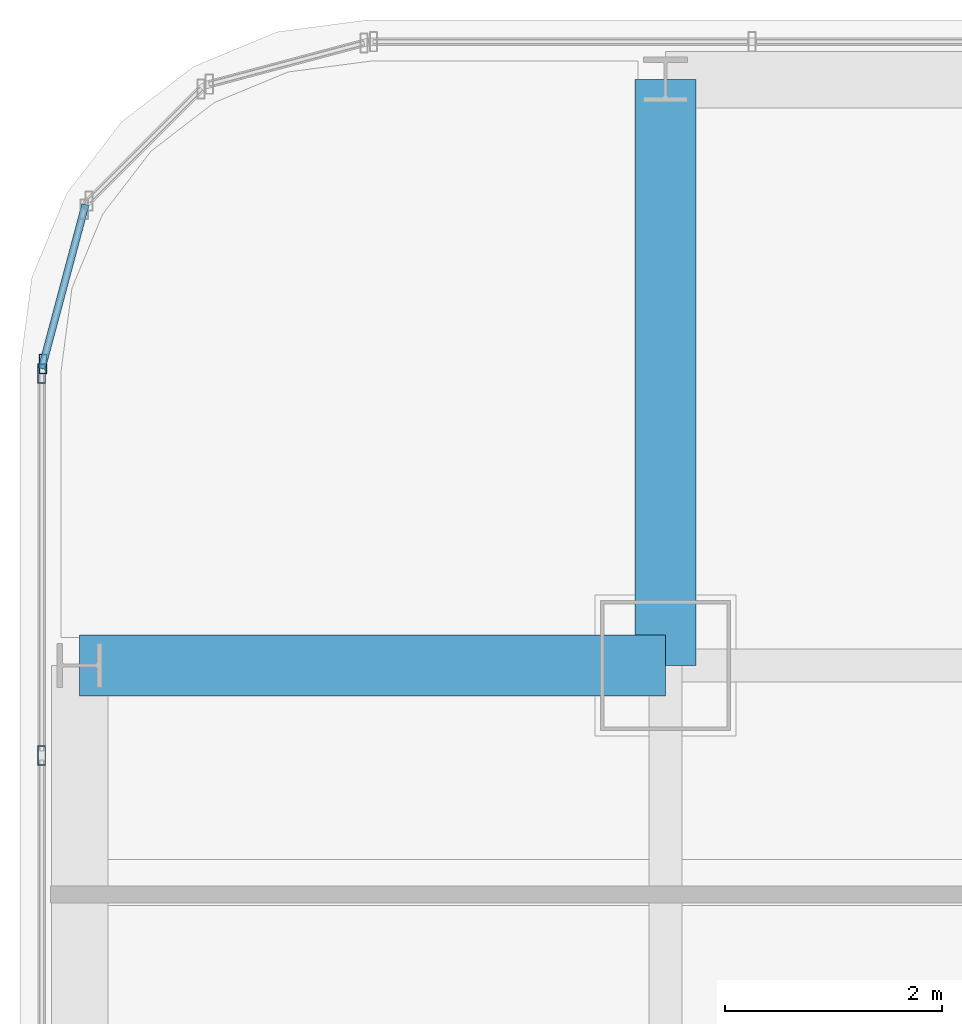
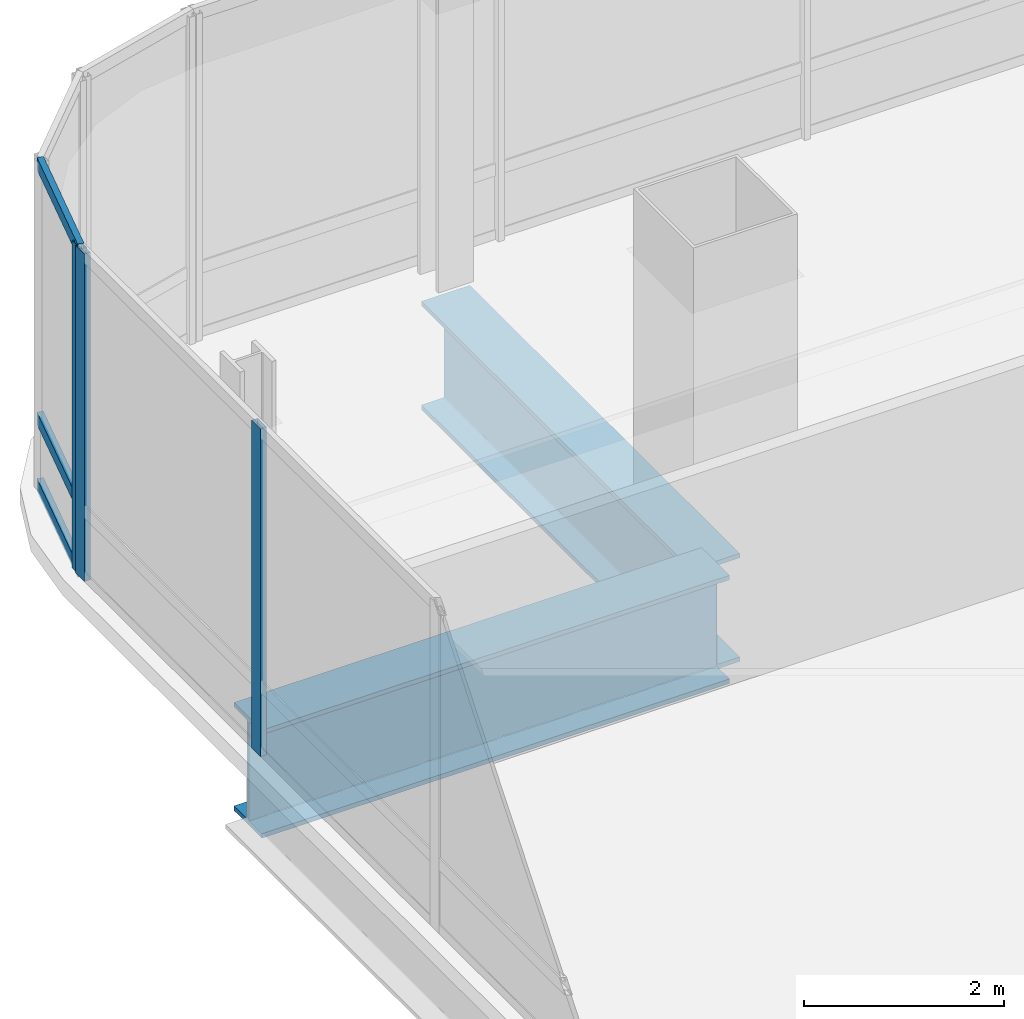
# One storey, part 21 of 42: 6 members, 2 beams, 2 elements without a shape of their own.
"""IFC4 building model written with IfcOpenShell, lengths in metres."""

import ifcopenshell
import ifcopenshell.guid

model = None  # the IFC model being written
_history = None  # IfcOwnerHistory: only IFC2X3 demands one
_inside = {}  # id of a spatial element -> (the spatial element, [elements in it])
_under = {}  # id of a project, library or spatial element -> (it, [spatial elements below it])
_declared = {}  # id of a project -> (the project, [libraries it declares])
_typed = {}  # id of a type object -> (the type object, [elements of that type])
_made_of = {}  # id of a material, layer set ... -> (it, [elements and type objects made of it])


def new_model(schema):
    """Start an empty IFC model of exactly this schema.

    Asked for "IFC4X3", IfcOpenShell would pick the latest addendum, in which some entities
    have other attributes; the version numbers below select the first issue.
    IFC2X3 requires an IfcOwnerHistory on every rooted entity: one is made here for all.
    """
    global model, _history
    if schema == "IFC4X3":
        model = ifcopenshell.file(schema_version=(4, 3, 0, 0))
    else:
        model = ifcopenshell.file(schema=schema)
    _inside.clear()
    _under.clear()
    _declared.clear()
    _typed.clear()
    _made_of.clear()
    _history = None
    if model.schema == "IFC2X3":
        org = make("IfcOrganization", Name="unknown")
        user = make(
            "IfcPersonAndOrganization",
            ThePerson=make("IfcPerson", FamilyName="unknown"),
            TheOrganization=org,
        )
        app = make(
            "IfcApplication",
            ApplicationDeveloper=org,
            Version="unknown",
            ApplicationFullName="unknown",
            ApplicationIdentifier="unknown",
        )
        _history = make(
            "IfcOwnerHistory",
            OwningUser=user,
            OwningApplication=app,
            ChangeAction="ADDED",
            CreationDate=0,
        )
    return model


def make(cls, **values):
    """One entity of the class cls with the attributes given. An attribute that is None is left unset."""
    return model.create_entity(
        cls, **{name: value for name, value in values.items() if value is not None}
    )


def rooted(cls, **values):
    """An entity with a GlobalId (a new one), such as an element, a storey or a relation."""
    return make(cls, GlobalId=ifcopenshell.guid.new(), OwnerHistory=_history, **values)


def si_unit(unit_type, name, prefix=None):
    """IfcSIUnit, for example si_unit("LENGTHUNIT", "METRE", prefix="MILLI")."""
    return make("IfcSIUnit", UnitType=unit_type, Prefix=prefix, Name=name)


def assignment(units):
    """IfcUnitAssignment: the units of a project."""
    return None if units is None else make("IfcUnitAssignment", Units=units)


def point(xyz):
    """IfcCartesianPoint."""
    return None if xyz is None else make("IfcCartesianPoint", Coordinates=xyz)


def direction(xyz):
    """IfcDirection."""
    return None if xyz is None else make("IfcDirection", DirectionRatios=xyz)


def frame(location, z_axis=None, x_axis=None):
    """IfcAxis2Placement3D, a coordinate frame: its origin and axes. An axis left out is left unset."""
    return make(
        "IfcAxis2Placement3D",
        Location=point(location),
        Axis=direction(z_axis),
        RefDirection=direction(x_axis),
    )


def frame_2d(location, x_axis=None):
    """IfcAxis2Placement2D, a coordinate frame in the plane: its origin and x axis."""
    return make(
        "IfcAxis2Placement2D", Location=point(location), RefDirection=direction(x_axis)
    )


def origin():
    """The frame at (0, 0, 0) with its axes left unset."""
    return frame((0.0, 0.0, 0.0))


def origin_2d():
    """The frame at (0, 0) in the plane with its x axis left unset."""
    return frame_2d((0.0, 0.0))


def place(relative_to, where):
    """IfcLocalPlacement: puts the frame where relative to a parent placement (None: the world)."""
    return make(
        "IfcLocalPlacement", PlacementRelTo=relative_to, RelativePlacement=where
    )


def context(
    kind, dimensions, precision=None, world=None, true_north=None, identifier=None
):
    """IfcGeometricRepresentationContext, for example the 3D "Model" context."""
    return make(
        "IfcGeometricRepresentationContext",
        ContextIdentifier=identifier,
        ContextType=kind,
        CoordinateSpaceDimension=dimensions,
        Precision=precision,
        WorldCoordinateSystem=world,
        TrueNorth=true_north,
    )


def subcontext(parent, identifier, kind, view, scale=None):
    """IfcGeometricRepresentationSubContext, for example "Body" below "Model"."""
    return make(
        "IfcGeometricRepresentationSubContext",
        ContextIdentifier=identifier,
        ContextType=kind,
        ParentContext=parent,
        TargetScale=scale,
        TargetView=view,
    )


def project(units=None, contexts=None):
    """IfcProject with its units and contexts."""
    return rooted(
        "IfcProject",
        Name="project",
        RepresentationContexts=contexts,
        UnitsInContext=assignment(units),
    )


def spatial(cls, under=None, at=None, **own):
    """A site, building, storey or space (cls), placed at a placement, below another one or the project."""
    s = rooted(cls, ObjectPlacement=at, **own)
    if under is not None:
        _under.setdefault(under.id(), (under, []))[1].append(s)
    return s


def profile(cls, at=None, kind="AREA", **sizes):
    """A parametric profile (cls). Its sizes go by their IFC names, for example OverallWidth=200.0."""
    return make(cls, ProfileType=kind, Position=at, **sizes)


def hollow_rectangle(**sizes):
    """IfcRectangleHollowProfileDef."""
    return profile("IfcRectangleHollowProfileDef", **sizes)


def i_section(**sizes):
    """IfcIShapeProfileDef."""
    return profile("IfcIShapeProfileDef", **sizes)


def extrude(swept, where, along, depth):
    """IfcExtrudedAreaSolid: the profile swept, set in the frame where, extruded along a direction by depth."""
    return make(
        "IfcExtrudedAreaSolid",
        SweptArea=swept,
        Position=where,
        ExtrudedDirection=direction(along),
        Depth=depth,
    )


def shape(context_of_items, identifier, shape_type, items):
    """IfcShapeRepresentation: the items that make up one representation, for example the "Body"."""
    return make(
        "IfcShapeRepresentation",
        ContextOfItems=context_of_items,
        RepresentationIdentifier=identifier,
        RepresentationType=shape_type,
        Items=items,
    )


def material(Name=None, Category=None):
    """IfcMaterial."""
    return make("IfcMaterial", Name=Name, Category=Category)


def material_profile(
    of_material, cross_section, Name=None, Category=None, Priority=None
):
    """IfcMaterialProfile: a cross section and its material."""
    return make(
        "IfcMaterialProfile",
        Name=Name,
        Material=of_material,
        Profile=cross_section,
        Priority=Priority,
        Category=Category,
    )


def profile_set(profiles, Name=None, composite=None):
    """IfcMaterialProfileSet."""
    return make(
        "IfcMaterialProfileSet",
        Name=Name,
        MaterialProfiles=profiles,
        CompositeProfile=composite,
    )


def made_of(thing, what):
    """Note that an element or type object is made of a material, layer set ...; save() writes the relation."""
    if what is not None:
        _made_of.setdefault(what.id(), (what, []))[1].append(thing)
    return thing


def type_object(cls, material=None, **own):
    """A type object (cls), such as IfcWallType, which elements share."""
    return made_of(rooted(cls, **own), material)


def element(
    cls,
    number,
    at=None,
    inside=None,
    cuts=None,
    type_object=None,
    material=None,
    context=None,
    identifier="Body",
    shape_type=None,
    held_by="IfcProductDefinitionShape",
    body=None,
    shapes=None,
    **own,
):
    """One element of the class cls, such as IfcWall. Its Tag is "e" and its number.

    at: its placement. inside: the storey or other place that contains it. cuts: it is an
    opening in that element (IfcRelVoidsElement). A single representation is given by context,
    identifier, shape_type and body (its items); several are given by shapes. held_by: the class
    of the entity that holds the representations. save() writes the other relations.
    """
    e = rooted(cls, Tag="e%d" % number, ObjectPlacement=at, **own)
    if body is not None:
        shapes = [shape(context, identifier, shape_type, body)]
    if shapes is not None:
        e.Representation = make(held_by, Representations=shapes)
    if inside is not None:
        _inside.setdefault(inside.id(), (inside, []))[1].append(e)
    if cuts is not None:
        rooted(
            "IfcRelVoidsElement", RelatingBuildingElement=cuts, RelatedOpeningElement=e
        )
    if type_object is not None:
        _typed.setdefault(type_object.id(), (type_object, []))[1].append(e)
    return made_of(e, material)


def aggregate(whole, parts):
    """IfcRelAggregates: a whole, such as a stair, and the parts it consists of."""
    return rooted("IfcRelAggregates", RelatingObject=whole, RelatedObjects=parts)


def save(model, path):
    """Write the relations noted so far, then the file.

    IfcRelAggregates (storeys below a building ...), IfcRelContainedInSpatialStructure (elements
    in a storey), IfcRelDefinesByType, IfcRelAssociatesMaterial and IfcRelDeclares: one each for
    every whole, place, type object, material and project.
    """
    for whole, parts in _under.values():
        aggregate(whole, parts)
    for where, things in _inside.values():
        rooted(
            "IfcRelContainedInSpatialStructure",
            RelatedElements=things,
            RelatingStructure=where,
        )
    for kind, things in _typed.values():
        rooted("IfcRelDefinesByType", RelatedObjects=things, RelatingType=kind)
    for what, things in _made_of.values():
        rooted("IfcRelAssociatesMaterial", RelatedObjects=things, RelatingMaterial=what)
    for by, libraries in _declared.values():
        rooted("IfcRelDeclares", RelatingContext=by, RelatedDefinitions=libraries)
    model.write(path)


model = new_model("IFC4")

# Units and contexts
model_context = context("Model", 3, precision=1e-05, world=origin(), true_north=direction((0.0, 1.0)))
body_context = subcontext(model_context, "Body", "Model", "MODEL_VIEW")
ifc_project = project(units=[si_unit("LENGTHUNIT", "METRE"), si_unit("AREAUNIT", "SQUARE_METRE"), si_unit("VOLUMEUNIT", "CUBIC_METRE"), si_unit("PLANEANGLEUNIT", "RADIAN"), si_unit("MASSUNIT", "GRAM", prefix="KILO")], contexts=[model_context])

# Site, building, storey
site_placement = place(None, origin())
site = spatial("IfcSite", under=ifc_project, at=site_placement, CompositionType="ELEMENT")
building_placement = place(site_placement, origin())
building = spatial("IfcBuilding", under=site, at=building_placement, Name="Punatoya Terracotta Tower", CompositionType="ELEMENT")
storey_placement = place(building_placement, frame((0.0, 0.0, 304.800048828125)))
storey = spatial("IfcBuildingStorey", under=building, at=storey_placement, Name="L72", CompositionType="ELEMENT", Elevation=304.800048828125)

# Beams
ifc_material_1 = material(Name="Steel S460", Category="steel")
ifc_material_profile_1 = material_profile(ifc_material_1, i_section(OverallWidth=0.56005859375, OverallDepth=1.320068359375, WebThickness=0.035888671875, FlangeThickness=0.054931640625, FilletRadius=0.01806640625, at=origin_2d()))
ifc_profile_set_1 = profile_set([ifc_material_profile_1], Name="Steel S460")
beam_type = type_object("IfcBeamType", Name="BM-TG-BLK", PredefinedType="BEAM", material=ifc_profile_set_1)
for number, where, z_axis, x_axis, name in (
    (1, (-24.5, 17.5, -0.860107421875), (1.0, 0.0, 0.0), (0.0, 1.0, 0.0), "BM-L72-CANT-W4"),
    (2, (-19.10009765625, 17.5, -0.860107421875), (0.0, 1.0, 0.0), (-1.0, 0.0, 0.0), "BM-L72-CANT-N1"),
):
    element("IfcBeam", number, at=place(storey_placement, frame(where, z_axis=z_axis, x_axis=x_axis)), inside=storey, type_object=beam_type, Name=name, PredefinedType="BEAM", context=body_context, shape_type="SweptSolid", body=[
        extrude(i_section(OverallWidth=0.56005859375, OverallDepth=1.320068359375, WebThickness=0.035888671875, FlangeThickness=0.054931640625, FilletRadius=0.01806640625, at=origin_2d()), origin(), (0.0, 0.0, 1.0), 5.39990234375),
    ])

# Curtain wall, member
ifc_material_2 = material(Name="Aluminium 6063-T6 + Double Low-E Glass", Category="aluminium")
curtain_wall_type = type_object("IfcCurtainWallType", Name="CW-M3", PredefinedType="NOTDEFINED", material=ifc_material_2)
curtain_wall_1_placement = place(storey_placement, origin())
curtain_wall_1 = element("IfcCurtainWall", 3, at=curtain_wall_1_placement, inside=storey, type_object=curtain_wall_type, Name="L72 Curtain Wall CW-L72-CRN12", PredefinedType="NOTDEFINED")
ifc_material_3 = material(Name="Aluminium 6063-T6", Category="aluminium")
ifc_material_profile_2 = material_profile(ifc_material_3, hollow_rectangle(XDim=0.070068359375, YDim=0.179931640625, WallThickness=0.00390625, at=origin_2d()))
ifc_profile_set_2 = profile_set([ifc_material_profile_2], Name="Aluminium 6063-T6")
member_type_1 = type_object("IfcMemberType", Name="CW-MUL-M3", PredefinedType="MULLION", material=ifc_profile_set_2)
member_1_placement = place(storey_placement, frame((-24.83837890625, 20.280517578125, 0.0), z_axis=(0.0, 0.0, 1.0), x_axis=(1.0, 0.0, 0.0)))
member_1 = element("IfcMember", 4, at=member_1_placement, type_object=member_type_1, Name="CW-L72-CRN12 Mullion 01", PredefinedType="MULLION", context=body_context, shape_type="SweptSolid", body=[
    extrude(hollow_rectangle(XDim=0.070068359375, YDim=0.179931640625, WallThickness=0.00390625, at=origin_2d()), origin(), (0.0, 0.0, 1.0), 4.0),
])

# Curtain wall, members
curtain_wall_2_placement = place(storey_placement, origin())
curtain_wall_2 = element("IfcCurtainWall", 5, at=curtain_wall_2_placement, inside=storey, type_object=curtain_wall_type, Name="L72 Curtain Wall CW-L72-W13-1", PredefinedType="NOTDEFINED")
member_2_placement = place(storey_placement, frame((-24.85009765625, 20.19189453125, 0.0), z_axis=(0.0, 0.0, 1.0), x_axis=(1.0, 0.0, 0.0)))
member_2 = element("IfcMember", 6, at=member_2_placement, type_object=member_type_1, Name="CW-L72-W13-1 Mullion 00", PredefinedType="MULLION", context=body_context, shape_type="SweptSolid", body=[
    extrude(hollow_rectangle(XDim=0.070068359375, YDim=0.179931640625, WallThickness=0.00390625, at=origin_2d()), origin(), (0.0, 0.0, 1.0), 4.0),
])
member_3_placement = place(storey_placement, frame((-24.85009765625, 16.66943359375, 0.0), z_axis=(0.0, 0.0, 1.0), x_axis=(1.0, 0.0, 0.0)))
member_3 = element("IfcMember", 7, at=member_3_placement, type_object=member_type_1, Name="CW-L72-W13-1 Mullion 01", PredefinedType="MULLION", context=body_context, shape_type="SweptSolid", body=[
    extrude(hollow_rectangle(XDim=0.070068359375, YDim=0.179931640625, WallThickness=0.00390625, at=origin_2d()), origin(), (0.0, 0.0, 1.0), 4.0),
])
aggregate(curtain_wall_2, [member_2, member_3])

# Member
ifc_material_profile_3 = material_profile(ifc_material_3, hollow_rectangle(XDim=0.068115234375, YDim=0.14990234375, WallThickness=0.00390625, at=origin_2d()))
ifc_profile_set_3 = profile_set([ifc_material_profile_3], Name="Aluminium 6063-T6")
member_type_2 = type_object("IfcMemberType", Name="CW-TRN-TYP", PredefinedType="USERDEFINED", material=ifc_profile_set_3)
member_4_placement = place(storey_placement, frame((-24.446533203125, 21.7490234375, 0.0400390625), z_axis=(-0.257847112249, -0.966185730957, 0.0), x_axis=(0.966185730957, -0.257847112249, 0.0)))
member_4 = element("IfcMember", 8, at=member_4_placement, type_object=member_type_2, Name="CW-L72-CRN12 Transom 1", ObjectType="TRANSOM", PredefinedType="USERDEFINED", context=body_context, shape_type="SweptSolid", body=[
    extrude(hollow_rectangle(XDim=0.068115234375, YDim=0.14990234375, WallThickness=0.00390625, at=origin_2d()), origin(), (0.0, 0.0, 1.0), 1.565185546875),
])

member_5_placement = place(storey_placement, frame((-24.446533203125, 21.7490234375, 0.849853515625), z_axis=(-0.257847112249, -0.966185730957, 0.0), x_axis=(0.966185730957, -0.257847112249, 0.0)))
member_5 = element("IfcMember", 9, at=member_5_placement, type_object=member_type_2, Name="CW-L72-CRN12 Transom 2", ObjectType="TRANSOM", PredefinedType="USERDEFINED", context=body_context, shape_type="SweptSolid", body=[
    extrude(hollow_rectangle(XDim=0.068115234375, YDim=0.14990234375, WallThickness=0.00390625, at=origin_2d()), origin(), (0.0, 0.0, 1.0), 1.565185546875),
])

member_6_placement = place(storey_placement, frame((-24.446533203125, 21.7490234375, 3.9599609375), z_axis=(-0.257847112249, -0.966185730957, 0.0), x_axis=(0.966185730957, -0.257847112249, 0.0)))
member_6 = element("IfcMember", 10, at=member_6_placement, type_object=member_type_2, Name="CW-L72-CRN12 Transom 3", ObjectType="TRANSOM", PredefinedType="USERDEFINED", context=body_context, shape_type="SweptSolid", body=[
    extrude(hollow_rectangle(XDim=0.068115234375, YDim=0.14990234375, WallThickness=0.00390625, at=origin_2d()), origin(), (0.0, 0.0, 1.0), 1.565185546875),
])

aggregate(curtain_wall_1, [member_1, member_4, member_5, member_6])

save(model, "model.ifc")
